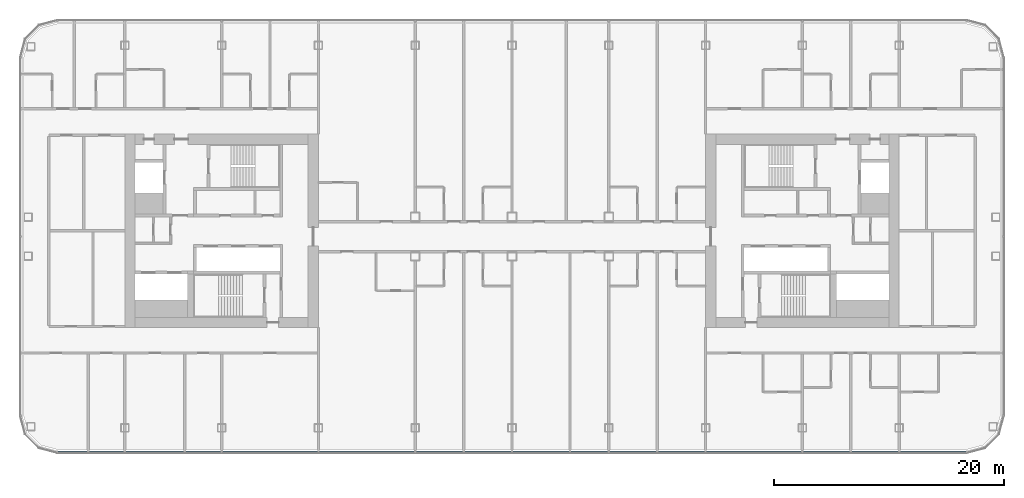
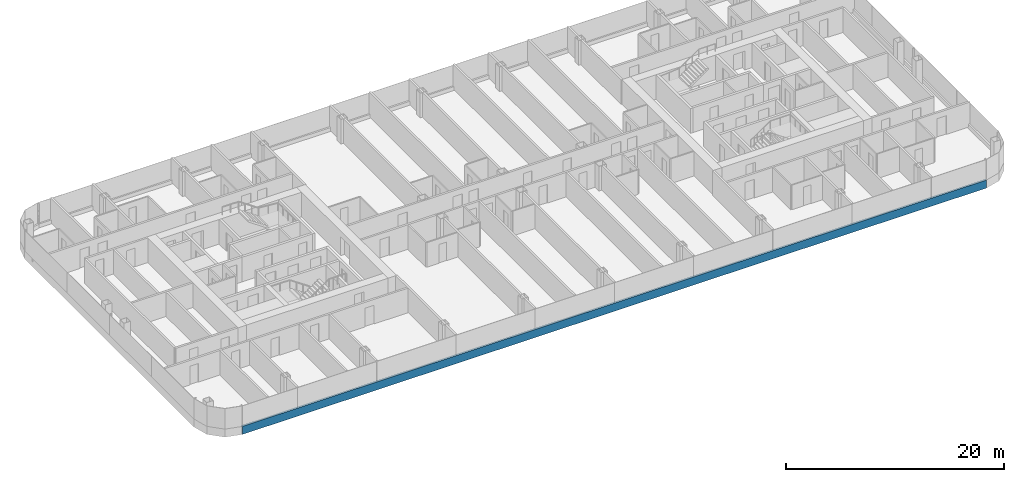
# One storey, part 4 of 26: 1 member, 1 element without a shape of its own.
"""IFC4 building model written with IfcOpenShell, lengths in metres."""

from ifc_helpers import new_model, si_unit, direction, frame, origin, origin_2d, place, context, subcontext, project, spatial, rectangle, extrude, material, layer, layer_set, material_profile, profile_set, type_object, element, aggregate, save


model = new_model("IFC4")

# Units and contexts
model_context = context("Model", 3, precision=1e-05, world=origin(), true_north=direction((0.0, 1.0)))
body_context = subcontext(model_context, "Body", "Model", "MODEL_VIEW")
ifc_project = project(units=[si_unit("LENGTHUNIT", "METRE"), si_unit("AREAUNIT", "SQUARE_METRE"), si_unit("VOLUMEUNIT", "CUBIC_METRE"), si_unit("PLANEANGLEUNIT", "RADIAN"), si_unit("MASSUNIT", "GRAM", prefix="KILO")], contexts=[model_context])

# Site, building, storey
site_placement = place(None, origin())
site = spatial("IfcSite", under=ifc_project, at=site_placement, CompositionType="ELEMENT")
building_placement = place(site_placement, origin())
building = spatial("IfcBuilding", under=site, at=building_placement, Name="Hakoniwa Tower and Hamabe Station Hall", CompositionType="ELEMENT")
storey_placement = place(building_placement, frame((0.0, 0.0, 153.39990234375)))
storey = spatial("IfcBuildingStorey", under=building, at=storey_placement, Name="L43", CompositionType="ELEMENT", Elevation=153.39990234375)

# Curtain wall, member
ifc_material_1 = material(Name="Dark low-e laminated glass", Category="glass")
ifc_layer = layer(ifc_material_1, 0.199951171875)
ifc_layer_set = layer_set([ifc_layer], Name="CW-1 UNITISED GUEST")
curtain_wall_type = type_object("IfcCurtainWallType", Name="CW-1 UNITISED GUEST", PredefinedType="NOTDEFINED", material=ifc_layer_set)
curtain_wall_placement = place(storey_placement, origin())
curtain_wall = element("IfcCurtainWall", 1, at=curtain_wall_placement, inside=storey, type_object=curtain_wall_type, Name="CW-1 curtain wall", PredefinedType="NOTDEFINED")
ifc_material_2 = material(Name="Aluminium 6063-T5 black anodised", Category="aluminium")
ifc_material_profile = material_profile(ifc_material_2, rectangle(XDim=0.199951171875, YDim=0.89990234375, at=origin_2d()), Name="CW SLAB-EDGE BAND 900X200")
ifc_profile_set = profile_set([ifc_material_profile], Name="Aluminium 6063-T5 black anodised")
member_type = type_object("IfcMemberType", Name="CW SLAB-EDGE BAND 900X200", PredefinedType="USERDEFINED", material=ifc_profile_set)
member_placement = place(storey_placement, frame((-39.439453125, -19.199951171875, -0.099853515625), z_axis=(1.0, 0.0, 0.0), x_axis=(0.0, 1.0, 0.0)))
member = element("IfcMember", 2, at=member_placement, type_object=member_type, Name="CW-1 transom", ObjectType="TRANSOM", PredefinedType="USERDEFINED", context=body_context, shape_type="SweptSolid", body=[
    extrude(rectangle(XDim=0.199951171875, YDim=0.89990234375, at=origin_2d()), origin(), (0.0, 0.0, 1.0), 78.87890625),
])
aggregate(curtain_wall, [member])

save(model, "model.ifc")
